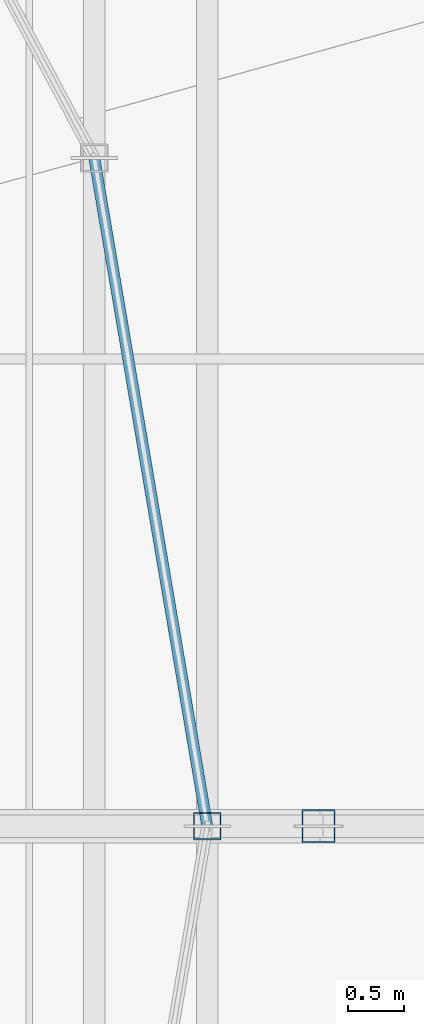
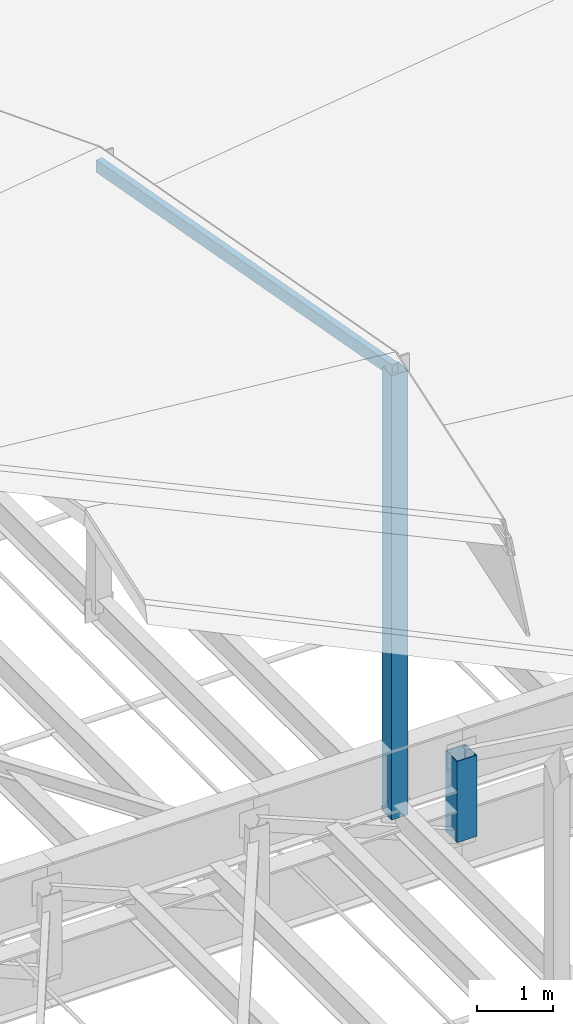
# One storey, part 93 of 184: 3 members.
"""IFC4 building model written with IfcOpenShell, lengths in metres."""

from ifc_helpers import new_model, si_unit, direction, frame, origin, origin_2d, place, context, subcontext, project, spatial, hollow_rectangle, extrude, material, material_profile, profile_set, type_object, element, save


model = new_model("IFC4")

# Units and contexts
model_context = context("Model", 3, precision=1e-05, world=origin(), true_north=direction((0.0, 1.0)))
body_context = subcontext(model_context, "Body", "Model", "MODEL_VIEW")
ifc_project = project(units=[si_unit("LENGTHUNIT", "METRE"), si_unit("AREAUNIT", "SQUARE_METRE"), si_unit("VOLUMEUNIT", "CUBIC_METRE"), si_unit("PLANEANGLEUNIT", "RADIAN"), si_unit("MASSUNIT", "GRAM", prefix="KILO")], contexts=[model_context])

# Site, building, storey
site_placement = place(None, origin())
site = spatial("IfcSite", under=ifc_project, at=site_placement, CompositionType="ELEMENT")
building_placement = place(site_placement, origin())
building = spatial("IfcBuilding", under=site, at=building_placement, Name="Kalgoora Escarpment Arena", CompositionType="ELEMENT")
storey_placement = place(building_placement, frame((0.0, 0.0, 27.60009765625)))
storey = spatial("IfcBuildingStorey", under=building, at=storey_placement, Name="Roof Level", CompositionType="ELEMENT", Elevation=27.60009765625)

# Members
ifc_material_1 = material(Name="Structural steel C450 (450 MPa)", Category="steel")
ifc_material_profile_1 = material_profile(ifc_material_1, hollow_rectangle(XDim=0.25, YDim=0.25, WallThickness=0.012451171875, at=origin_2d()))
ifc_profile_set_1 = profile_set([ifc_material_profile_1], Name="Structural steel C450 (450 MPa)")
member_type_1 = type_object("IfcMemberType", Name="MEM-PETAL-POST", PredefinedType="POST", material=ifc_profile_set_1)
member_1_placement = place(storey_placement, frame((136.0, 64.0, -0.960205078125), z_axis=(0.0, 0.0, 1.0), x_axis=(1.0, 0.0, 0.0)))
element("IfcMember", 1, at=member_1_placement, inside=storey, type_object=member_type_1, Name="Petal RP4 vertical support post S01", PredefinedType="POST", context=body_context, shape_type="SweptSolid", body=[
    extrude(hollow_rectangle(XDim=0.25, YDim=0.25, WallThickness=0.012451171875, at=origin_2d()), origin(), (0.0, 0.0, 1.0), 7.105224609375),
])
ifc_material_2 = material(Name="Structural steel C350 (350 MPa)", Category="steel")
ifc_material_profile_2 = material_profile(ifc_material_2, hollow_rectangle(XDim=0.10009765625, YDim=0.199951171875, WallThickness=0.009033203125, at=origin_2d()))
ifc_profile_set_2 = profile_set([ifc_material_profile_2], Name="Structural steel C350 (350 MPa)")
member_type_2 = type_object("IfcMemberType", Name="MEM-PURLIN-RHS", PredefinedType="PURLIN", material=ifc_profile_set_2)
member_2_placement = place(storey_placement, frame((136.0, 64.0, 6.125), z_axis=(-0.166732388344, 0.986002185939, 0.0), x_axis=(-0.986002185939, -0.166732388344, 0.0)))
element("IfcMember", 2, at=member_2_placement, inside=storey, type_object=member_type_2, Name="Petal RP4 eave support ring purlin S01", PredefinedType="PURLIN", context=body_context, shape_type="SweptSolid", body=[
    extrude(hollow_rectangle(XDim=0.10009765625, YDim=0.199951171875, WallThickness=0.009033203125, at=origin_2d()), origin(), (0.0, 0.0, 1.0), 6.08984375),
])
ifc_material_3 = material(Name="Structural steel C450 (450 MPa)", Category="steel")
ifc_material_profile_3 = material_profile(ifc_material_3, hollow_rectangle(XDim=0.300048828125, YDim=0.300048828125, WallThickness=0.012451171875, at=origin_2d()))
ifc_profile_set_3 = profile_set([ifc_material_profile_3], Name="Structural steel C450 (450 MPa)")
member_type_3 = type_object("IfcMemberType", Name="MEM-TRUSS-POST", PredefinedType="POST", material=ifc_profile_set_3)
member_3_placement = place(storey_placement, frame((137.0, 64.0, -1.650146484375), z_axis=(0.0, 0.0, 1.0), x_axis=(-1.0, 0.0, 0.0)))
element("IfcMember", 3, at=member_3_placement, inside=storey, type_object=member_type_3, Name="Radial ROOF TRUSS spine 1 post 1", PredefinedType="POST", context=body_context, shape_type="SweptSolid", body=[
    extrude(hollow_rectangle(XDim=0.300048828125, YDim=0.300048828125, WallThickness=0.012451171875, at=origin_2d()), origin(), (0.0, 0.0, 1.0), 1.300048828125),
])

save(model, "model.ifc")
